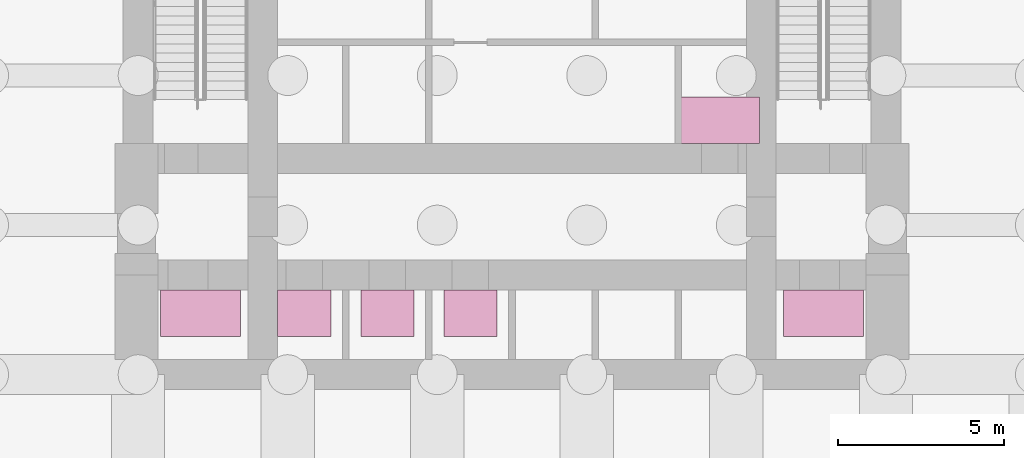
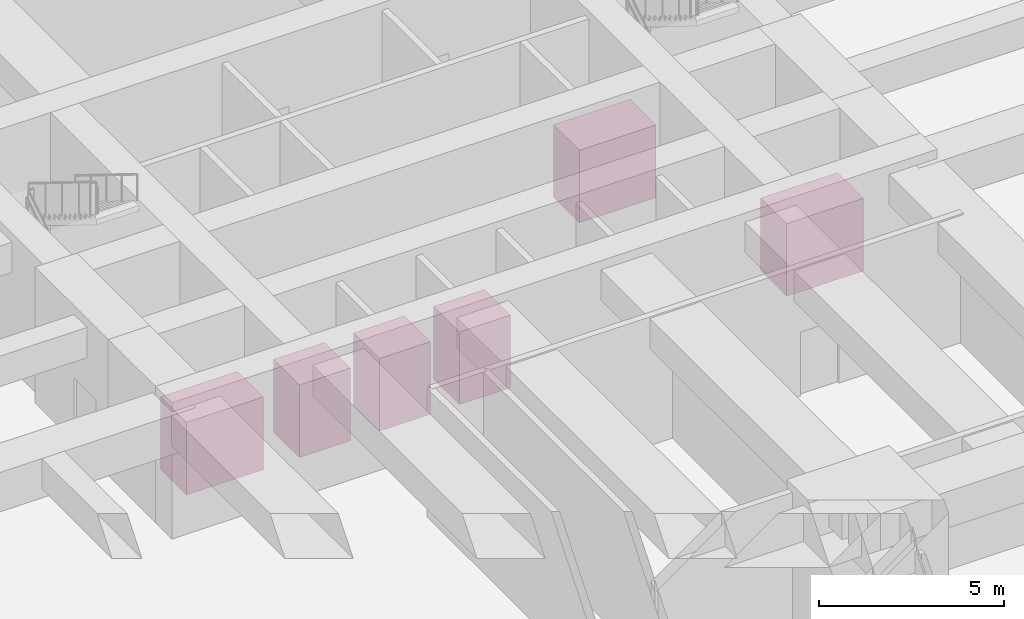
# One storey, part 9 of 9: 6 transport elements.
"""IFC4 building model written with IfcOpenShell, lengths in metres."""

from ifc_helpers import new_model, si_unit, direction, frame, origin, origin_2d, place, context, subcontext, project, spatial, rectangle, extrude, material, type_object, element, save


model = new_model("IFC4")

# Units and contexts
model_context = context("Model", 3, precision=1e-05, world=origin(), true_north=direction((0.0, 1.0)))
body_context = subcontext(model_context, "Body", "Model", "MODEL_VIEW")
ifc_project = project(units=[si_unit("LENGTHUNIT", "METRE"), si_unit("AREAUNIT", "SQUARE_METRE"), si_unit("VOLUMEUNIT", "CUBIC_METRE"), si_unit("PLANEANGLEUNIT", "RADIAN"), si_unit("MASSUNIT", "GRAM", prefix="KILO")], contexts=[model_context])

# Site, building, storey
site_placement = place(None, origin())
site = spatial("IfcSite", under=ifc_project, at=site_placement, CompositionType="ELEMENT")
building_placement = place(site_placement, origin())
building = spatial("IfcBuilding", under=site, at=building_placement, Name="Kilele Tower Hotel", CompositionType="ELEMENT")
storey_placement = place(building_placement, frame((0.0, 0.0, -9.0)))
storey = spatial("IfcBuildingStorey", under=building, at=storey_placement, Name="B2", CompositionType="ELEMENT", Elevation=-9.0)

# Transport elements
ifc_material_1 = material(Name="Steel lift car", Category="steel")
transport_element_type_1 = type_object("IfcTransportElementType", Name="Firefighting lift car 2400 x 1400", PredefinedType="ELEVATOR", material=ifc_material_1)
for number, where, z_axis, x_axis, name in (
    (1, (15.375, 15.35009765625, 0.0), (0.0, 0.0, 1.0), (1.0, 0.0, 0.0), "Firefighting lift FF1"),
    (2, (34.125, 15.35009765625, 0.0), (0.0, 0.0, 1.0), (1.0, 0.0, 0.0), "Firefighting lift FF2"),
):
    element("IfcTransportElement", number, at=place(storey_placement, frame(where, z_axis=z_axis, x_axis=x_axis)), inside=storey, type_object=transport_element_type_1, Name=name, PredefinedType="ELEVATOR", context=body_context, shape_type="SweptSolid", body=[
        extrude(rectangle(XDim=2.39990234375, YDim=1.39990234375, at=origin_2d()), origin(), (0.0, 0.0, 1.0), 2.39990234375),
    ])
ifc_material_2 = material(Name="Steel lift car", Category="steel")
transport_element_type_2 = type_object("IfcTransportElementType", Name="Goods lift car 1400 x 2400", PredefinedType="ELEVATOR", material=ifc_material_2)
transport_element_placement = place(storey_placement, frame((31.0, 21.14990234375, 0.0), z_axis=(0.0, 0.0, 1.0), x_axis=(1.0, 0.0, 0.0)))
element("IfcTransportElement", 3, at=transport_element_placement, inside=storey, type_object=transport_element_type_2, Name="Lift G1", PredefinedType="ELEVATOR", context=body_context, shape_type="SweptSolid", body=[
    extrude(rectangle(XDim=2.39990234375, YDim=1.39990234375, at=origin_2d()), origin(), (0.0, 0.0, 1.0), 2.39990234375),
])
ifc_material_3 = material(Name="Steel lift car", Category="steel")
transport_element_type_3 = type_object("IfcTransportElementType", Name="Passenger lift car 1600 x 1400", PredefinedType="ELEVATOR", material=ifc_material_3)
for number, where, z_axis, x_axis, name in (
    (4, (18.5, 15.35009765625, 0.0), (0.0, 0.0, 1.0), (1.0, 0.0, 0.0), "Lift L1"),
    (5, (21.0, 15.35009765625, 0.0), (0.0, 0.0, 1.0), (1.0, 0.0, 0.0), "Lift L2"),
    (6, (23.5, 15.35009765625, 0.0), (0.0, 0.0, 1.0), (1.0, 0.0, 0.0), "Lift L3"),
):
    element("IfcTransportElement", number, at=place(storey_placement, frame(where, z_axis=z_axis, x_axis=x_axis)), inside=storey, type_object=transport_element_type_3, Name=name, PredefinedType="ELEVATOR", context=body_context, shape_type="SweptSolid", body=[
        extrude(rectangle(XDim=1.60009765625, YDim=1.39990234375, at=origin_2d()), origin(), (0.0, 0.0, 1.0), 2.39990234375),
    ])

save(model, "model.ifc")
